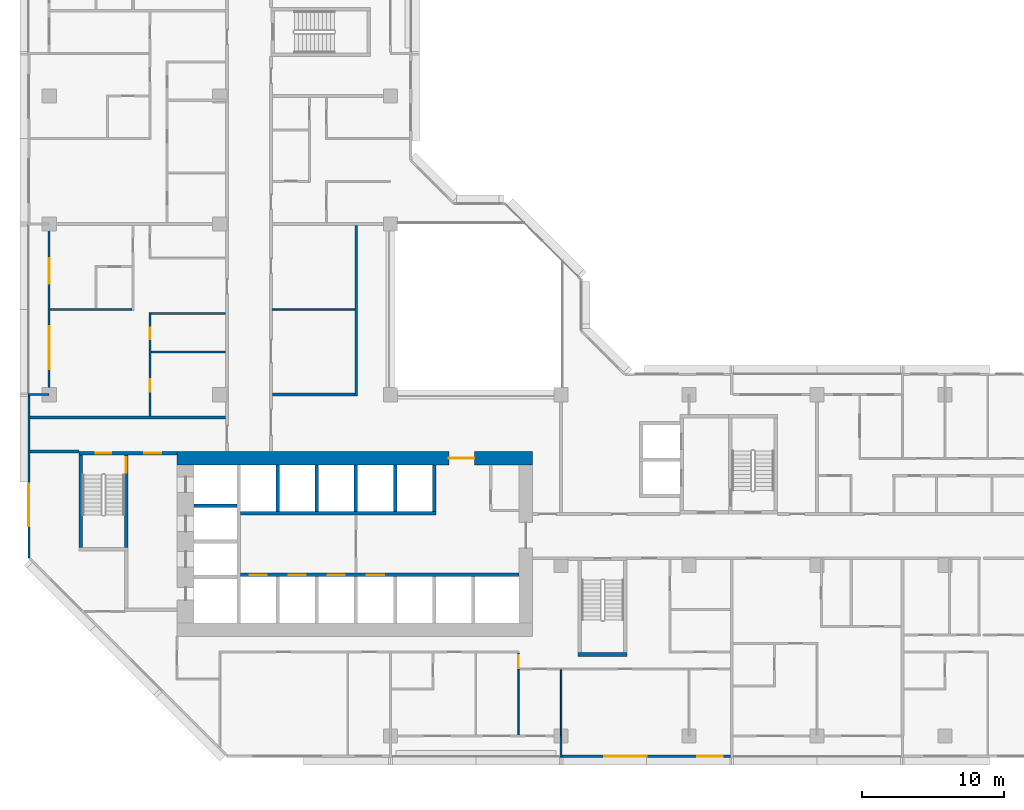
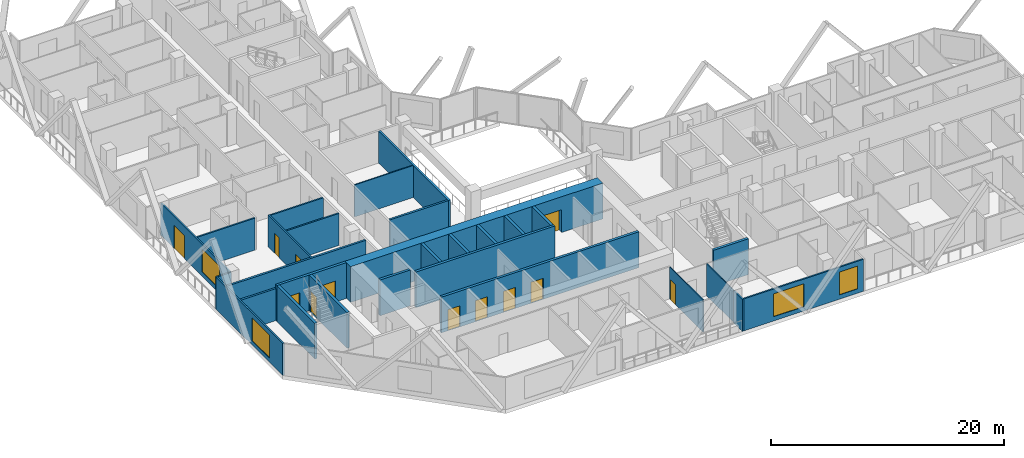
# One storey, part 5 of 14: 29 walls, 12 doors, 4 windows, 16 openings.
"""IFC4 building model written with IfcOpenShell, lengths in metres."""

from ifc_helpers import new_model, si_unit, direction, frame, frame_2d, origin, place, context, subcontext, project, spatial, rectangle, extrude, material, layer, layer_set, type_object, element, fill, save


model = new_model("IFC4")

# Units and contexts
model_context = context("Model", 3, precision=1e-05, world=origin(), true_north=direction((0.0, 1.0)))
body_context = subcontext(model_context, "Body", "Model", "MODEL_VIEW")
ifc_project = project(units=[si_unit("LENGTHUNIT", "METRE"), si_unit("AREAUNIT", "SQUARE_METRE"), si_unit("VOLUMEUNIT", "CUBIC_METRE"), si_unit("PLANEANGLEUNIT", "RADIAN"), si_unit("MASSUNIT", "GRAM", prefix="KILO")], contexts=[model_context])

# Site, building, storey
site_placement = place(None, origin())
site = spatial("IfcSite", under=ifc_project, at=site_placement, CompositionType="ELEMENT")
building_placement = place(site_placement, origin())
building = spatial("IfcBuilding", under=site, at=building_placement, Name="Chenar Terraces", CompositionType="ELEMENT")
storey_placement = place(building_placement, frame((0.0, 0.0, 91.89990234375)))
storey = spatial("IfcBuildingStorey", under=building, at=storey_placement, Name="L20", CompositionType="ELEMENT", Elevation=91.89990234375)

# Wall, openings, doors
ifc_material_1 = material(Name="Concrete C70/85", Category="concrete")
ifc_layer_1 = layer(ifc_material_1, 0.25)
ifc_layer_set_1 = layer_set([ifc_layer_1], Name="Concrete C70/85")
wall_type_1 = type_object("IfcWallType", Name="Core wall 250 Concrete C70/85", PredefinedType="SHEAR", material=ifc_layer_set_1)
wall_1_placement = place(storey_placement, frame((13.449951171875, 11.324951171875, 0.0), z_axis=(0.0, 0.0, 1.0), x_axis=(1.0, 0.0, 0.0)))
wall_1 = element("IfcWall", 1, at=wall_1_placement, inside=storey, type_object=wall_type_1, Name="Core wall SF L20", PredefinedType="SHEAR", context=body_context, shape_type="SweptSolid", body=[
    extrude(rectangle(XDim=19.60009765625, YDim=0.25, at=frame_2d((9.800048828125, 0.0))), origin(), (0.0, 0.0, 1.0), 3.75),
])
opening_1_placement = place(wall_1_placement, frame((0.64990234375, 0.0, 0.0)))
opening_1 = element("IfcOpeningElement", 2, at=opening_1_placement, cuts=wall_1, Name="Opening DL20-LD1", PredefinedType="OPENING", context=body_context, shape_type="SweptSolid", body=[
    extrude(rectangle(XDim=1.199951171875, YDim=2.199951171875, at=frame_2d((0.60009765625, 1.10009765625))), frame((0.0, 0.135009765625, 0.0), z_axis=(0.0, -1.0, 0.0), x_axis=(1.0, 0.0, 0.0)), (0.0, 0.0, 1.0), 0.27001953125),
])
opening_2_placement = place(wall_1_placement, frame((3.39990234375, 0.0, 0.0)))
opening_2 = element("IfcOpeningElement", 3, at=opening_2_placement, cuts=wall_1, Name="Opening DL20-LD2", PredefinedType="OPENING", context=body_context, shape_type="SweptSolid", body=[
    extrude(rectangle(XDim=1.199951171875, YDim=2.199951171875, at=frame_2d((0.60009765625, 1.10009765625))), frame((0.0, 0.135009765625, 0.0), z_axis=(0.0, -1.0, 0.0), x_axis=(1.0, 0.0, 0.0)), (0.0, 0.0, 1.0), 0.27001953125),
])
opening_3_placement = place(wall_1_placement, frame((6.14990234375, 0.0, 0.0)))
opening_3 = element("IfcOpeningElement", 4, at=opening_3_placement, cuts=wall_1, Name="Opening DL20-LD3", PredefinedType="OPENING", context=body_context, shape_type="SweptSolid", body=[
    extrude(rectangle(XDim=1.199951171875, YDim=2.199951171875, at=frame_2d((0.60009765625, 1.10009765625))), frame((0.0, 0.135009765625, 0.0), z_axis=(0.0, -1.0, 0.0), x_axis=(1.0, 0.0, 0.0)), (0.0, 0.0, 1.0), 0.27001953125),
])
opening_4_placement = place(wall_1_placement, frame((8.89990234375, 0.0, 0.0)))
opening_4 = element("IfcOpeningElement", 5, at=opening_4_placement, cuts=wall_1, Name="Opening DL20-LD4", PredefinedType="OPENING", context=body_context, shape_type="SweptSolid", body=[
    extrude(rectangle(XDim=1.199951171875, YDim=2.199951171875, at=frame_2d((0.60009765625, 1.10009765625))), frame((0.0, 0.135009765625, 0.0), z_axis=(0.0, -1.0, 0.0), x_axis=(1.0, 0.0, 0.0)), (0.0, 0.0, 1.0), 0.27001953125),
])
ifc_material_2 = material(Name="Stainless steel", Category="steel")
door_type_1 = type_object("IfcDoorType", Name="Lift landing door 1200 x 2200 sliding", OperationType="DOUBLE_DOOR_SLIDING", PredefinedType="DOOR", material=ifc_material_2)
door_1_placement = place(opening_1_placement, origin())
door_1 = element("IfcDoor", 6, at=door_1_placement, inside=storey, type_object=door_type_1, Name="Landing door L1", OperationType="DOUBLE_DOOR_SLIDING", OverallHeight=2.199951171875, OverallWidth=1.199951171875, PredefinedType="DOOR", context=body_context, shape_type="SweptSolid", body=[
    extrude(rectangle(XDim=1.199951171875, YDim=2.199951171875, at=frame_2d((0.60009765625, 1.10009765625))), frame((0.0, 0.02490234375, 0.0), z_axis=(0.0, -1.0, 0.0), x_axis=(1.0, 0.0, 0.0)), (0.0, 0.0, 1.0), 0.050048828125),
])
fill(opening_1, door_1)
door_2_placement = place(opening_2_placement, origin())
door_2 = element("IfcDoor", 7, at=door_2_placement, inside=storey, type_object=door_type_1, Name="Landing door L2", OperationType="DOUBLE_DOOR_SLIDING", OverallHeight=2.199951171875, OverallWidth=1.199951171875, PredefinedType="DOOR", context=body_context, shape_type="SweptSolid", body=[
    extrude(rectangle(XDim=1.199951171875, YDim=2.199951171875, at=frame_2d((0.60009765625, 1.10009765625))), frame((0.0, 0.02490234375, 0.0), z_axis=(0.0, -1.0, 0.0), x_axis=(1.0, 0.0, 0.0)), (0.0, 0.0, 1.0), 0.050048828125),
])
fill(opening_2, door_2)
door_3_placement = place(opening_3_placement, origin())
door_3 = element("IfcDoor", 8, at=door_3_placement, inside=storey, type_object=door_type_1, Name="Landing door L3", OperationType="DOUBLE_DOOR_SLIDING", OverallHeight=2.199951171875, OverallWidth=1.199951171875, PredefinedType="DOOR", context=body_context, shape_type="SweptSolid", body=[
    extrude(rectangle(XDim=1.199951171875, YDim=2.199951171875, at=frame_2d((0.60009765625, 1.10009765625))), frame((0.0, 0.02490234375, 0.0), z_axis=(0.0, -1.0, 0.0), x_axis=(1.0, 0.0, 0.0)), (0.0, 0.0, 1.0), 0.050048828125),
])
fill(opening_3, door_3)
door_4_placement = place(opening_4_placement, origin())
door_4 = element("IfcDoor", 9, at=door_4_placement, inside=storey, type_object=door_type_1, Name="Landing door L4", OperationType="DOUBLE_DOOR_SLIDING", OverallHeight=2.199951171875, OverallWidth=1.199951171875, PredefinedType="DOOR", context=body_context, shape_type="SweptSolid", body=[
    extrude(rectangle(XDim=1.199951171875, YDim=2.199951171875, at=frame_2d((0.60009765625, 1.10009765625))), frame((0.0, 0.02490234375, 0.0), z_axis=(0.0, -1.0, 0.0), x_axis=(1.0, 0.0, 0.0)), (0.0, 0.0, 1.0), 0.050048828125),
])
fill(opening_4, door_4)

# Walls
wall_2_placement = place(storey_placement, frame((13.449951171875, 15.675048828125, 0.0), z_axis=(0.0, 0.0, 1.0), x_axis=(1.0, 0.0, 0.0)))
element("IfcWall", 10, at=wall_2_placement, inside=storey, type_object=wall_type_1, Name="Core wall NF L20", PredefinedType="SHEAR", context=body_context, shape_type="SweptSolid", body=[
    extrude(rectangle(XDim=13.75, YDim=0.25, at=frame_2d((6.875, 0.0))), origin(), (0.0, 0.0, 1.0), 3.75),
])
wall_3_placement = place(storey_placement, frame((10.199951171875, 16.175048828125, 0.0), z_axis=(0.0, 0.0, 1.0), x_axis=(1.0, 0.0, 0.0)))
element("IfcWall", 11, at=wall_3_placement, inside=storey, type_object=wall_type_1, Name="Core wall HW2 L20", PredefinedType="SHEAR", context=body_context, shape_type="SweptSolid", body=[
    extrude(rectangle(XDim=3.0, YDim=0.25, at=frame_2d((1.5, 0.0))), origin(), (0.0, 0.0, 1.0), 3.75),
])
for number, where, z_axis, x_axis, name in (
    (12, (16.074951171875, 15.800048828125, 0.0), (0.0, 0.0, 1.0), (0.0, 1.0, 0.0), "Core wall NS0 L20"),
    (13, (18.824951171875, 15.800048828125, 0.0), (0.0, 0.0, 1.0), (0.0, 1.0, 0.0), "Core wall NS1 L20"),
    (14, (21.574951171875, 15.800048828125, 0.0), (0.0, 0.0, 1.0), (0.0, 1.0, 0.0), "Core wall NS2 L20"),
    (15, (24.324951171875, 15.800048828125, 0.0), (0.0, 0.0, 1.0), (0.0, 1.0, 0.0), "Core wall NS3 L20"),
    (16, (27.074951171875, 15.800048828125, 0.0), (0.0, 0.0, 1.0), (0.0, 1.0, 0.0), "Core wall NE L20"),
):
    element("IfcWall", number, at=place(storey_placement, frame(where, z_axis=z_axis, x_axis=x_axis)), inside=storey, type_object=wall_type_1, Name=name, PredefinedType="SHEAR", context=body_context, shape_type="SweptSolid", body=[
        extrude(rectangle(XDim=3.25, YDim=0.25, at=frame_2d((1.625, 0.0))), origin(), (0.0, 0.0, 1.0), 3.75),
    ])

# Wall, openings, doors
wall_4_placement = place(storey_placement, frame((2.10009765625, 19.875, 0.0), z_axis=(0.0, 0.0, 1.0), x_axis=(1.0, 0.0, 0.0)))
wall_4 = element("IfcWall", 17, at=wall_4_placement, inside=storey, type_object=wall_type_1, Name="Core wall A_N L20", PredefinedType="SHEAR", context=body_context, shape_type="SweptSolid", body=[
    extrude(rectangle(XDim=6.89990234375, YDim=0.25, at=frame_2d((3.449951171875, 0.0))), origin(), (0.0, 0.0, 1.0), 3.75),
])
opening_5_placement = place(wall_4_placement, frame((1.175048828125, 0.0, 0.0)))
opening_5 = element("IfcOpeningElement", 18, at=opening_5_placement, cuts=wall_4, Name="Opening DL20-C5", PredefinedType="OPENING", context=body_context, shape_type="SweptSolid", body=[
    extrude(rectangle(XDim=1.10009765625, YDim=2.199951171875, at=frame_2d((0.550048828125, 1.10009765625))), frame((0.0, 0.135009765625, 0.0), z_axis=(0.0, -1.0, 0.0), x_axis=(1.0, 0.0, 0.0)), (0.0, 0.0, 1.0), 0.27001953125),
])
opening_6_placement = place(wall_4_placement, frame((4.60009765625, 0.0, 0.0)))
opening_6 = element("IfcOpeningElement", 19, at=opening_6_placement, cuts=wall_4, Name="Opening DL20-C6", PredefinedType="OPENING", context=body_context, shape_type="SweptSolid", body=[
    extrude(rectangle(XDim=1.199951171875, YDim=2.199951171875, at=frame_2d((0.60009765625, 1.10009765625))), frame((0.0, 0.135009765625, 0.0), z_axis=(0.0, -1.0, 0.0), x_axis=(1.0, 0.0, 0.0)), (0.0, 0.0, 1.0), 0.27001953125),
])
ifc_material_3 = material(Name="Steel-framed fire-resisting door leaf", Category="steel")
door_type_2 = type_object("IfcDoorType", Name="Lobby fire door FD60 1200 x 2200", OperationType="SINGLE_SWING_LEFT", PredefinedType="DOOR", material=ifc_material_3)
door_5_placement = place(opening_6_placement, frame((1.199951171875, 0.0, 0.0), z_axis=(0.0, 0.0, 1.0), x_axis=(-1.0, 0.0, 0.0)))
door_5 = element("IfcDoor", 20, at=door_5_placement, inside=storey, type_object=door_type_2, Name="Core door DL20-C6", OperationType="SINGLE_SWING_LEFT", OverallHeight=2.199951171875, OverallWidth=1.199951171875, PredefinedType="DOOR", context=body_context, shape_type="SweptSolid", body=[
    extrude(rectangle(XDim=1.199951171875, YDim=2.199951171875, at=frame_2d((0.60009765625, 1.10009765625))), frame((0.0, 0.02490234375, 0.0), z_axis=(0.0, -1.0, 0.0), x_axis=(1.0, 0.0, 0.0)), (0.0, 0.0, 1.0), 0.050048828125),
])
fill(opening_6, door_5)
ifc_material_4 = material(Name="Steel-framed fire-resisting door leaf", Category="steel")
door_type_3 = type_object("IfcDoorType", Name="Stair fire door FD60 1100 x 2200", OperationType="SINGLE_SWING_LEFT", PredefinedType="DOOR", material=ifc_material_4)
door_6_placement = place(opening_5_placement, origin())
door_6 = element("IfcDoor", 21, at=door_6_placement, inside=storey, type_object=door_type_3, Name="Stair door DL20-C5", OperationType="SINGLE_SWING_LEFT", OverallHeight=2.199951171875, OverallWidth=1.10009765625, PredefinedType="DOOR", context=body_context, shape_type="SweptSolid", body=[
    extrude(rectangle(XDim=1.10009765625, YDim=2.199951171875, at=frame_2d((0.550048828125, 1.10009765625))), frame((0.0, 0.02490234375, 0.0), z_axis=(0.0, -1.0, 0.0), x_axis=(1.0, 0.0, 0.0)), (0.0, 0.0, 1.0), 0.050048828125),
])
fill(opening_5, door_6)

# Wall
wall_5_placement = place(storey_placement, frame((2.22509765625, 13.25, 0.0), z_axis=(0.0, 0.0, 1.0), x_axis=(0.0, 1.0, 0.0)))
element("IfcWall", 22, at=wall_5_placement, inside=storey, type_object=wall_type_1, Name="Core wall ST1_W L20", PredefinedType="SHEAR", context=body_context, shape_type="SweptSolid", body=[
    extrude(rectangle(XDim=6.5, YDim=0.25, at=frame_2d((3.25, 0.0))), origin(), (0.0, 0.0, 1.0), 3.75),
])

# Wall, opening, door
wall_6_placement = place(storey_placement, frame((5.425048828125, 13.25, 0.0), z_axis=(0.0, 0.0, 1.0), x_axis=(0.0, 1.0, 0.0)))
wall_6 = element("IfcWall", 23, at=wall_6_placement, inside=storey, type_object=wall_type_1, Name="Core wall ST1_E L20", PredefinedType="SHEAR", context=body_context, shape_type="SweptSolid", body=[
    extrude(rectangle(XDim=6.5, YDim=0.25, at=frame_2d((3.25, 0.0))), origin(), (0.0, 0.0, 1.0), 3.75),
])
opening_7_placement = place(wall_6_placement, frame((5.25, 0.0, 0.0)))
opening_7 = element("IfcOpeningElement", 24, at=opening_7_placement, cuts=wall_6, Name="Opening DL20-C3", PredefinedType="OPENING", context=body_context, shape_type="SweptSolid", body=[
    extrude(rectangle(XDim=1.10009765625, YDim=2.199951171875, at=frame_2d((0.550048828125, 1.10009765625))), frame((0.0, 0.135009765625, 0.0), z_axis=(0.0, -1.0, 0.0), x_axis=(1.0, 0.0, 0.0)), (0.0, 0.0, 1.0), 0.27001953125),
])
door_7_placement = place(opening_7_placement, origin())
door_7 = element("IfcDoor", 25, at=door_7_placement, inside=storey, type_object=door_type_3, Name="Stair door DL20-C3", OperationType="SINGLE_SWING_RIGHT", OverallHeight=2.199951171875, OverallWidth=1.10009765625, PredefinedType="DOOR", context=body_context, shape_type="SweptSolid", body=[
    extrude(rectangle(XDim=1.10009765625, YDim=2.199951171875, at=frame_2d((0.550048828125, 1.10009765625))), frame((0.0, 0.02490234375, 0.0), z_axis=(0.0, -1.0, 0.0), x_axis=(1.0, 0.0, 0.0)), (0.0, 0.0, 1.0), 0.050048828125),
])
fill(opening_7, door_7)

# Wall
wall_7_placement = place(storey_placement, frame((37.199951171875, 5.72509765625, 0.0), z_axis=(0.0, 0.0, 1.0), x_axis=(1.0, 0.0, 0.0)))
element("IfcWall", 26, at=wall_7_placement, inside=storey, type_object=wall_type_1, Name="Core wall ST2_S L20", PredefinedType="SHEAR", context=body_context, shape_type="SweptSolid", body=[
    extrude(rectangle(XDim=3.449951171875, YDim=0.25, at=frame_2d((1.72509765625, 0.0))), origin(), (0.0, 0.0, 1.0), 3.75),
])

# Wall, opening, door
ifc_material_5 = material(Name="Concrete C70/85", Category="concrete")
ifc_layer_2 = layer(ifc_material_5, 0.949951171875)
ifc_layer_set_2 = layer_set([ifc_layer_2], Name="Concrete C70/85")
wall_type_2 = type_object("IfcWallType", Name="Core wall 950 Concrete C70/85", PredefinedType="SHEAR", material=ifc_layer_set_2)
wall_8_placement = place(storey_placement, frame((9.0, 19.52490234375, 0.0), z_axis=(0.0, 0.0, 1.0), x_axis=(1.0, 0.0, 0.0)))
wall_8 = element("IfcWall", 27, at=wall_8_placement, inside=storey, type_object=wall_type_2, Name="Core wall N L20", PredefinedType="SHEAR", context=body_context, shape_type="SweptSolid", body=[
    extrude(rectangle(XDim=25.0, YDim=0.949951171875, at=frame_2d((12.5, 0.0))), origin(), (0.0, 0.0, 1.0), 3.75),
])
opening_8_placement = place(wall_8_placement, frame((19.10009765625, 0.0, 0.0)))
opening_8 = element("IfcOpeningElement", 28, at=opening_8_placement, cuts=wall_8, Name="Opening DL20-C2", PredefinedType="OPENING", context=body_context, shape_type="SweptSolid", body=[
    extrude(rectangle(XDim=1.800048828125, YDim=2.39990234375, at=frame_2d((0.89990234375, 1.199951171875))), frame((0.0, 0.48486328125, 0.0), z_axis=(0.0, -1.0, 0.0), x_axis=(1.0, 0.0, 0.0)), (0.0, 0.0, 1.0), 0.969970703125),
])
ifc_material_6 = material(Name="Steel-framed fire-resisting door leaf", Category="steel")
door_type_4 = type_object("IfcDoorType", Name="Core entrance double fire door FD60 1800 x 2400", OperationType="DOUBLE_DOOR_SINGLE_SWING", PredefinedType="DOOR", material=ifc_material_6)
door_8_placement = place(opening_8_placement, frame((1.800048828125, 0.0, 0.0), z_axis=(0.0, 0.0, 1.0), x_axis=(-1.0, 0.0, 0.0)))
door_8 = element("IfcDoor", 29, at=door_8_placement, inside=storey, type_object=door_type_4, Name="Core door DL20-C2", OperationType="DOUBLE_DOOR_SINGLE_SWING", OverallHeight=2.39990234375, OverallWidth=1.800048828125, PredefinedType="DOOR", context=body_context, shape_type="SweptSolid", body=[
    extrude(rectangle(XDim=1.800048828125, YDim=2.39990234375, at=frame_2d((0.89990234375, 1.199951171875))), frame((0.0, 0.02490234375, 0.0), z_axis=(0.0, -1.0, 0.0), x_axis=(1.0, 0.0, 0.0)), (0.0, 0.0, 1.0), 0.050048828125),
])
fill(opening_8, door_8)

# Walls
ifc_material_7 = material(Name="Gypsum board on steel studs with fire boards", Category="steel")
ifc_layer_3 = layer(ifc_material_7, 0.199951171875)
ifc_layer_set_3 = layer_set([ifc_layer_3], Name="Gypsum board on steel studs with fire boards")
wall_type_3 = type_object("IfcWallType", Name="Corridor wall 200", PredefinedType="PARTITIONING", material=ifc_layer_set_3)
wall_9_placement = place(storey_placement, frame((-1.35009765625, 20.0, 0.0), z_axis=(0.0, 0.0, 1.0), x_axis=(1.0, 0.0, 0.0)))
element("IfcWall", 30, at=wall_9_placement, inside=storey, type_object=wall_type_3, Name="Partition L20-001", PredefinedType="PARTITIONING", context=body_context, shape_type="SweptSolid", body=[
    extrude(rectangle(XDim=3.4501953125, YDim=0.199951171875, at=frame_2d((1.72509765625, 0.0))), origin(), (0.0, 0.0, 1.0), 3.35009765625),
])
wall_10_placement = place(storey_placement, frame((-1.35009765625, 22.39990234375, 0.0), z_axis=(0.0, 0.0, 1.0), x_axis=(1.0, 0.0, 0.0)))
element("IfcWall", 31, at=wall_10_placement, inside=storey, type_object=wall_type_3, Name="Partition L20-002", PredefinedType="PARTITIONING", context=body_context, shape_type="SweptSolid", body=[
    extrude(rectangle(XDim=13.75, YDim=0.199951171875, at=frame_2d((6.875, 0.0))), origin(), (0.0, 0.0, 1.0), 3.35009765625),
])
wall_11_placement = place(storey_placement, frame((15.699951171875, 24.0, 0.0), z_axis=(0.0, 0.0, 1.0), x_axis=(1.0, 0.0, 0.0)))
element("IfcWall", 32, at=wall_11_placement, inside=storey, type_object=wall_type_3, Name="Partition L20-040", PredefinedType="PARTITIONING", context=body_context, shape_type="SweptSolid", body=[
    extrude(rectangle(XDim=5.800048828125, YDim=0.199951171875, at=frame_2d((2.89990234375, 0.0))), origin(), (0.0, 0.0, 1.0), 3.35009765625),
])
wall_12_placement = place(storey_placement, frame((21.60009765625, 23.89990234375, 0.0), z_axis=(0.0, 0.0, 1.0), x_axis=(0.0, 1.0, 0.0)))
element("IfcWall", 33, at=wall_12_placement, inside=storey, type_object=wall_type_3, Name="Partition L20-060", PredefinedType="PARTITIONING", context=body_context, shape_type="SweptSolid", body=[
    extrude(rectangle(XDim=12.0, YDim=0.199951171875, at=frame_2d((6.0, 0.0))), origin(), (0.0, 0.0, 1.0), 3.35009765625),
])

# Wall, opening, window
ifc_material_8 = material(Name="Aluminium framed glazing", Category="aluminium")
ifc_layer_4 = layer(ifc_material_8, 0.14990234375)
ifc_layer_set_4 = layer_set([ifc_layer_4], Name="Aluminium framed glazing")
wall_type_4 = type_object("IfcWallType", Name="Glazed flush facade wall 150", PredefinedType="SOLIDWALL", material=ifc_layer_set_4)
wall_13_placement = place(storey_placement, frame((-1.425048828125, 23.925048828125, 0.0), z_axis=(0.0, 0.0, 1.0), x_axis=(0.0, -1.0, 0.0)))
wall_13 = element("IfcWall", 34, at=wall_13_placement, inside=storey, type_object=wall_type_4, Name="Glazed flush facade wall", PredefinedType="SOLIDWALL", context=body_context, shape_type="SweptSolid", body=[
    extrude(rectangle(XDim=11.425048828125, YDim=0.14990234375, at=frame_2d((5.71240234375, 0.0))), origin(), (0.0, 0.0, 1.0), 3.35009765625),
])
opening_9_placement = place(wall_13_placement, frame((6.175048828125, 0.0, 0.449951171875)))
opening_9 = element("IfcOpeningElement", 35, at=opening_9_placement, cuts=wall_13, Name="Opening W300x240", PredefinedType="OPENING", context=body_context, shape_type="SweptSolid", body=[
    extrude(rectangle(XDim=3.0, YDim=2.39990234375, at=frame_2d((1.5, 1.199951171875))), frame((0.0, 0.0849609375, 0.0), z_axis=(0.0, -1.0, 0.0), x_axis=(1.0, 0.0, 0.0)), (0.0, 0.0, 1.0), 0.169921875),
])
ifc_material_9 = material(Name="Low emissivity double glazing, aluminium frame", Category="aluminium")
window_type_1 = type_object("IfcWindowType", Name="Fixed light 3000 x 2400", PartitioningType="SINGLE_PANEL", PredefinedType="WINDOW", material=ifc_material_9)
window_1_placement = place(opening_9_placement, origin())
window_1 = element("IfcWindow", 36, at=window_1_placement, inside=storey, type_object=window_type_1, Name="Window", OverallHeight=2.39990234375, OverallWidth=3.0, PartitioningType="SINGLE_PANEL", PredefinedType="WINDOW", context=body_context, shape_type="SweptSolid", body=[
    extrude(rectangle(XDim=3.0, YDim=2.39990234375, at=frame_2d((1.5, 1.199951171875))), frame((0.0, 0.030029296875, 0.0), z_axis=(0.0, -1.0, 0.0), x_axis=(1.0, 0.0, 0.0)), (0.0, 0.0, 1.0), 0.06005859375),
])
fill(opening_9, window_1)

# Wall, openings, windows
wall_14_placement = place(storey_placement, frame((36.074951171875, -1.425048828125, 0.0), z_axis=(0.0, 0.0, 1.0), x_axis=(1.0, 0.0, 0.0)))
wall_14 = element("IfcWall", 37, at=wall_14_placement, inside=storey, type_object=wall_type_4, Name="Glazed flush facade wall", PredefinedType="SOLIDWALL", context=body_context, shape_type="SweptSolid", body=[
    extrude(rectangle(XDim=11.85009765625, YDim=0.14990234375, at=frame_2d((5.925048828125, 0.0))), origin(), (0.0, 0.0, 1.0), 3.35009765625),
])
opening_10_placement = place(wall_14_placement, frame((2.96240234375, 0.0, 0.449951171875)))
opening_10 = element("IfcOpeningElement", 38, at=opening_10_placement, cuts=wall_14, Name="Opening W300x240", PredefinedType="OPENING", context=body_context, shape_type="SweptSolid", body=[
    extrude(rectangle(XDim=3.0, YDim=2.39990234375, at=frame_2d((1.5, 1.199951171875))), frame((0.0, 0.0849609375, 0.0), z_axis=(0.0, -1.0, 0.0), x_axis=(1.0, 0.0, 0.0)), (0.0, 0.0, 1.0), 0.169921875),
])
opening_11_placement = place(wall_14_placement, frame((9.487548828125, 0.0, 0.449951171875)))
opening_11 = element("IfcOpeningElement", 39, at=opening_11_placement, cuts=wall_14, Name="Opening W180x240", PredefinedType="OPENING", context=body_context, shape_type="SweptSolid", body=[
    extrude(rectangle(XDim=1.800048828125, YDim=2.39990234375, at=frame_2d((0.89990234375, 1.199951171875))), frame((0.0, 0.0849609375, 0.0), z_axis=(0.0, -1.0, 0.0), x_axis=(1.0, 0.0, 0.0)), (0.0, 0.0, 1.0), 0.169921875),
])
ifc_material_10 = material(Name="Low emissivity double glazing, aluminium frame", Category="aluminium")
window_type_2 = type_object("IfcWindowType", Name="Fixed light 1800 x 2400", PartitioningType="SINGLE_PANEL", PredefinedType="WINDOW", material=ifc_material_10)
window_2_placement = place(opening_11_placement, origin())
window_2 = element("IfcWindow", 40, at=window_2_placement, inside=storey, type_object=window_type_2, Name="Window", OverallHeight=2.39990234375, OverallWidth=1.800048828125, PartitioningType="SINGLE_PANEL", PredefinedType="WINDOW", context=body_context, shape_type="SweptSolid", body=[
    extrude(rectangle(XDim=1.800048828125, YDim=2.39990234375, at=frame_2d((0.89990234375, 1.199951171875))), frame((0.0, 0.030029296875, 0.0), z_axis=(0.0, -1.0, 0.0), x_axis=(1.0, 0.0, 0.0)), (0.0, 0.0, 1.0), 0.06005859375),
])
fill(opening_11, window_2)
window_3_placement = place(opening_10_placement, origin())
window_3 = element("IfcWindow", 41, at=window_3_placement, inside=storey, type_object=window_type_1, Name="Window", OverallHeight=2.39990234375, OverallWidth=3.0, PartitioningType="SINGLE_PANEL", PredefinedType="WINDOW", context=body_context, shape_type="SweptSolid", body=[
    extrude(rectangle(XDim=3.0, YDim=2.39990234375, at=frame_2d((1.5, 1.199951171875))), frame((0.0, 0.030029296875, 0.0), z_axis=(0.0, -1.0, 0.0), x_axis=(1.0, 0.0, 0.0)), (0.0, 0.0, 1.0), 0.06005859375),
])
fill(opening_10, window_3)

# Wall, openings, window, door
ifc_material_11 = material(Name="Aluminium framed glazing", Category="aluminium")
ifc_layer_5 = layer(ifc_material_11, 0.14990234375)
ifc_layer_set_5 = layer_set([ifc_layer_5], Name="Aluminium framed glazing")
wall_type_5 = type_object("IfcWallType", Name="Glazed loggia back wall 150", PredefinedType="SOLIDWALL", material=ifc_layer_set_5)
wall_15_placement = place(storey_placement, frame((0.0, 35.925048828125, 0.0), z_axis=(0.0, 0.0, 1.0), x_axis=(0.0, -1.0, 0.0)))
wall_15 = element("IfcWall", 42, at=wall_15_placement, inside=storey, type_object=wall_type_5, Name="Glazed loggia back wall", PredefinedType="SOLIDWALL", context=body_context, shape_type="SweptSolid", body=[
    extrude(rectangle(XDim=11.85009765625, YDim=0.14990234375, at=frame_2d((5.925048828125, 0.0))), origin(), (0.0, 0.0, 1.0), 3.35009765625),
])
opening_12_placement = place(wall_15_placement, frame((2.324951171875, 0.0, 0.0)))
opening_12 = element("IfcOpeningElement", 43, at=opening_12_placement, cuts=wall_15, Name="Opening DL20-G5", PredefinedType="OPENING", context=body_context, shape_type="SweptSolid", body=[
    extrude(rectangle(XDim=1.800048828125, YDim=2.39990234375, at=frame_2d((0.89990234375, 1.199951171875))), frame((0.0, 0.0849609375, 0.0), z_axis=(0.0, -1.0, 0.0), x_axis=(1.0, 0.0, 0.0)), (0.0, 0.0, 1.0), 0.169921875),
])
opening_13_placement = place(wall_15_placement, frame((7.125, 0.0, 0.449951171875)))
opening_13 = element("IfcOpeningElement", 44, at=opening_13_placement, cuts=wall_15, Name="Opening W300x240", PredefinedType="OPENING", context=body_context, shape_type="SweptSolid", body=[
    extrude(rectangle(XDim=3.0, YDim=2.39990234375, at=frame_2d((1.5, 1.199951171875))), frame((0.0, 0.0849609375, 0.0), z_axis=(0.0, -1.0, 0.0), x_axis=(1.0, 0.0, 0.0)), (0.0, 0.0, 1.0), 0.169921875),
])
window_4_placement = place(opening_13_placement, origin())
window_4 = element("IfcWindow", 45, at=window_4_placement, inside=storey, type_object=window_type_1, Name="Window", OverallHeight=2.39990234375, OverallWidth=3.0, PartitioningType="SINGLE_PANEL", PredefinedType="WINDOW", context=body_context, shape_type="SweptSolid", body=[
    extrude(rectangle(XDim=3.0, YDim=2.39990234375, at=frame_2d((1.5, 1.199951171875))), frame((0.0, 0.030029296875, 0.0), z_axis=(0.0, -1.0, 0.0), x_axis=(1.0, 0.0, 0.0)), (0.0, 0.0, 1.0), 0.06005859375),
])
fill(opening_13, window_4)
ifc_material_12 = material(Name="Low emissivity double glazing, aluminium frame", Category="aluminium")
door_type_5 = type_object("IfcDoorType", Name="Loggia glazed double door 1800 x 2400", OperationType="DOUBLE_DOOR_SINGLE_SWING", PredefinedType="DOOR", material=ifc_material_12)
door_9_placement = place(opening_12_placement, frame((1.800048828125, 0.0, 0.0), z_axis=(0.0, 0.0, 1.0), x_axis=(-1.0, 0.0, 0.0)))
door_9 = element("IfcDoor", 46, at=door_9_placement, inside=storey, type_object=door_type_5, Name="Loggia glazed door", OperationType="DOUBLE_DOOR_SINGLE_SWING", OverallHeight=2.39990234375, OverallWidth=1.800048828125, PredefinedType="DOOR", context=body_context, shape_type="SweptSolid", body=[
    extrude(rectangle(XDim=1.800048828125, YDim=2.39990234375, at=frame_2d((0.89990234375, 1.199951171875))), frame((0.0, 0.02490234375, 0.0), z_axis=(0.0, -1.0, 0.0), x_axis=(1.0, 0.0, 0.0)), (0.0, 0.0, 1.0), 0.050048828125),
])
fill(opening_12, door_9)

# Wall
ifc_material_13 = material(Name="Gypsum board on steel studs", Category="steel")
ifc_layer_6 = layer(ifc_material_13, 0.10009765625)
ifc_layer_set_6 = layer_set([ifc_layer_6], Name="Gypsum board on steel studs")
wall_type_6 = type_object("IfcWallType", Name="Gypsum partition 100", PredefinedType="PARTITIONING", material=ifc_layer_set_6)
wall_16_placement = place(storey_placement, frame((15.699951171875, 30.0, 0.0), z_axis=(0.0, 0.0, 1.0), x_axis=(1.0, 0.0, 0.0)))
element("IfcWall", 47, at=wall_16_placement, inside=storey, type_object=wall_type_6, Name="Partition L20-041", PredefinedType="PARTITIONING", context=body_context, shape_type="SweptSolid", body=[
    extrude(rectangle(XDim=5.800048828125, YDim=0.10009765625, at=frame_2d((2.89990234375, 0.0))), origin(), (0.0, 0.0, 1.0), 3.35009765625),
])

# Wall, opening, door
wall_17_placement = place(storey_placement, frame((33.0, 0.073974609375, 0.0), z_axis=(0.0, 0.0, 1.0), x_axis=(0.0, 1.0, 0.0)))
wall_17 = element("IfcWall", 48, at=wall_17_placement, inside=storey, type_object=wall_type_6, Name="Partition L20-065", PredefinedType="PARTITIONING", context=body_context, shape_type="SweptSolid", body=[
    extrude(rectangle(XDim=5.7509765625, YDim=0.10009765625, at=frame_2d((2.87548828125, 0.0))), origin(), (0.0, 0.0, 1.0), 3.35009765625),
])
opening_14_placement = place(wall_17_placement, frame((4.700927734375, 0.0, 0.0)))
opening_14 = element("IfcOpeningElement", 49, at=opening_14_placement, cuts=wall_17, Name="Opening DL20-56", PredefinedType="OPENING", context=body_context, shape_type="SweptSolid", body=[
    extrude(rectangle(XDim=0.89990234375, YDim=2.10009765625, at=frame_2d((0.449951171875, 1.050048828125))), frame((0.0, 0.06005859375, 0.0), z_axis=(0.0, -1.0, 0.0), x_axis=(1.0, 0.0, 0.0)), (0.0, 0.0, 1.0), 0.1201171875),
])
ifc_material_14 = material(Name="Veneered timber door leaf", Category="wood")
door_type_6 = type_object("IfcDoorType", Name="Door 900 x 2100", OperationType="SINGLE_SWING_LEFT", PredefinedType="DOOR", material=ifc_material_14)
door_10_placement = place(opening_14_placement, origin())
door_10 = element("IfcDoor", 50, at=door_10_placement, inside=storey, type_object=door_type_6, Name="Door DL20-56", OperationType="SINGLE_SWING_RIGHT", OverallHeight=2.10009765625, OverallWidth=0.89990234375, PredefinedType="DOOR", context=body_context, shape_type="SweptSolid", body=[
    extrude(rectangle(XDim=0.89990234375, YDim=2.10009765625, at=frame_2d((0.449951171875, 1.050048828125))), frame((0.0, 0.02490234375, 0.0), z_axis=(0.0, -1.0, 0.0), x_axis=(1.0, 0.0, 0.0)), (0.0, 0.0, 1.0), 0.050048828125),
])
fill(opening_14, door_10)

# Walls
wall_18_placement = place(storey_placement, frame((36.0, 0.0, 0.0), z_axis=(0.0, 0.0, 1.0), x_axis=(0.0, 1.0, 0.0)))
element("IfcWall", 51, at=wall_18_placement, inside=storey, type_object=wall_type_6, Name="Partition L20-069", PredefinedType="PARTITIONING", context=body_context, shape_type="SweptSolid", body=[
    extrude(rectangle(XDim=4.64990234375, YDim=0.10009765625, at=frame_2d((2.324951171875, 0.0))), origin(), (0.0, 0.0, 1.0), 3.35009765625),
])
ifc_material_15 = material(Name="Terracotta cladding on insulated backing", Category="masonry")
ifc_layer_7 = layer(ifc_material_15, 0.14990234375)
ifc_layer_set_7 = layer_set([ifc_layer_7], Name="Terracotta cladding on insulated backing")
wall_type_7 = type_object("IfcWallType", Name="Loggia return wall 150", PredefinedType="SOLIDWALL", material=ifc_layer_set_7)
for number, where, z_axis, x_axis, name in (
    (52, (-1.5, 24.0, 0.0), (0.0, 0.0, 1.0), (1.0, 0.0, 0.0), "Loggia return wall"),
    (53, (36.0, -1.5, 0.0), (0.0, 0.0, 1.0), (0.0, 1.0, 0.0), "Loggia return wall"),
):
    element("IfcWall", number, at=place(storey_placement, frame(where, z_axis=z_axis, x_axis=x_axis)), inside=storey, type_object=wall_type_7, Name=name, PredefinedType="SOLIDWALL", context=body_context, shape_type="SweptSolid", body=[
        extrude(rectangle(XDim=1.5, YDim=0.14990234375, at=frame_2d((0.75, 0.0))), origin(), (0.0, 0.0, 1.0), 3.35009765625),
    ])
ifc_material_16 = material(Name="Moisture-resistant gypsum board on steel studs", Category="steel")
ifc_layer_8 = layer(ifc_material_16, 0.14990234375)
ifc_layer_set_8 = layer_set([ifc_layer_8], Name="Moisture-resistant gypsum board on steel studs")
wall_type_8 = type_object("IfcWallType", Name="Wet-room partition 150", PredefinedType="PARTITIONING", material=ifc_layer_set_8)
wall_19_placement = place(storey_placement, frame((0.073974609375, 30.0, 0.0), z_axis=(0.0, 0.0, 1.0), x_axis=(1.0, 0.0, 0.0)))
element("IfcWall", 54, at=wall_19_placement, inside=storey, type_object=wall_type_8, Name="Partition L20-006", PredefinedType="PARTITIONING", context=body_context, shape_type="SweptSolid", body=[
    extrude(rectangle(XDim=5.7509765625, YDim=0.14990234375, at=frame_2d((2.87548828125, 0.0))), origin(), (0.0, 0.0, 1.0), 3.35009765625),
])

# Wall, openings, doors
wall_20_placement = place(storey_placement, frame((7.10009765625, 22.5, 0.0), z_axis=(0.0, 0.0, 1.0), x_axis=(0.0, 1.0, 0.0)))
wall_20 = element("IfcWall", 55, at=wall_20_placement, inside=storey, type_object=wall_type_8, Name="Partition L20-020", PredefinedType="PARTITIONING", context=body_context, shape_type="SweptSolid", body=[
    extrude(rectangle(XDim=7.27490234375, YDim=0.14990234375, at=frame_2d((3.637451171875, 0.0))), origin(), (0.0, 0.0, 1.0), 3.35009765625),
])
opening_15_placement = place(wall_20_placement, frame((5.39990234375, 0.0, 0.0)))
opening_15 = element("IfcOpeningElement", 56, at=opening_15_placement, cuts=wall_20, Name="Opening DL20-67", PredefinedType="OPENING", context=body_context, shape_type="SweptSolid", body=[
    extrude(rectangle(XDim=0.800048828125, YDim=2.10009765625, at=frame_2d((0.39990234375, 1.050048828125))), frame((0.0, 0.0849609375, 0.0), z_axis=(0.0, -1.0, 0.0), x_axis=(1.0, 0.0, 0.0)), (0.0, 0.0, 1.0), 0.169921875),
])
opening_16_placement = place(wall_20_placement, frame((1.699951171875, 0.0, 0.0)))
opening_16 = element("IfcOpeningElement", 57, at=opening_16_placement, cuts=wall_20, Name="Opening DL20-72", PredefinedType="OPENING", context=body_context, shape_type="SweptSolid", body=[
    extrude(rectangle(XDim=0.89990234375, YDim=2.10009765625, at=frame_2d((0.449951171875, 1.050048828125))), frame((0.0, 0.0849609375, 0.0), z_axis=(0.0, -1.0, 0.0), x_axis=(1.0, 0.0, 0.0)), (0.0, 0.0, 1.0), 0.169921875),
])
ifc_material_17 = material(Name="Veneered timber door leaf", Category="wood")
door_type_7 = type_object("IfcDoorType", Name="Door 800 x 2100", OperationType="SINGLE_SWING_LEFT", PredefinedType="DOOR", material=ifc_material_17)
door_11_placement = place(opening_15_placement, frame((0.800048828125, 0.0, 0.0), z_axis=(0.0, 0.0, 1.0), x_axis=(-1.0, 0.0, 0.0)))
door_11 = element("IfcDoor", 58, at=door_11_placement, inside=storey, type_object=door_type_7, Name="Door DL20-67", OperationType="SINGLE_SWING_RIGHT", OverallHeight=2.10009765625, OverallWidth=0.800048828125, PredefinedType="DOOR", context=body_context, shape_type="SweptSolid", body=[
    extrude(rectangle(XDim=0.800048828125, YDim=2.10009765625, at=frame_2d((0.39990234375, 1.050048828125))), frame((0.0, 0.02490234375, 0.0), z_axis=(0.0, -1.0, 0.0), x_axis=(1.0, 0.0, 0.0)), (0.0, 0.0, 1.0), 0.050048828125),
])
fill(opening_15, door_11)
door_12_placement = place(opening_16_placement, frame((0.89990234375, 0.0, 0.0), z_axis=(0.0, 0.0, 1.0), x_axis=(-1.0, 0.0, 0.0)))
door_12 = element("IfcDoor", 59, at=door_12_placement, inside=storey, type_object=door_type_6, Name="Door DL20-72", OperationType="SINGLE_SWING_RIGHT", OverallHeight=2.10009765625, OverallWidth=0.89990234375, PredefinedType="DOOR", context=body_context, shape_type="SweptSolid", body=[
    extrude(rectangle(XDim=0.89990234375, YDim=2.10009765625, at=frame_2d((0.449951171875, 1.050048828125))), frame((0.0, 0.02490234375, 0.0), z_axis=(0.0, -1.0, 0.0), x_axis=(1.0, 0.0, 0.0)), (0.0, 0.0, 1.0), 0.050048828125),
])
fill(opening_16, door_12)

# Walls
for number, where, z_axis, x_axis, name in (
    (60, (7.175048828125, 27.0, 0.0), (0.0, 0.0, 1.0), (1.0, 0.0, 0.0), "Partition L20-024"),
    (61, (7.175048828125, 29.699951171875, 0.0), (0.0, 0.0, 1.0), (1.0, 0.0, 0.0), "Partition L20-025"),
):
    element("IfcWall", number, at=place(storey_placement, frame(where, z_axis=z_axis, x_axis=x_axis)), inside=storey, type_object=wall_type_8, Name=name, PredefinedType="PARTITIONING", context=body_context, shape_type="SweptSolid", body=[
        extrude(rectangle(XDim=5.224853515625, YDim=0.14990234375, at=frame_2d((2.6123046875, 0.0))), origin(), (0.0, 0.0, 1.0), 3.35009765625),
    ])

save(model, "model.ifc")
